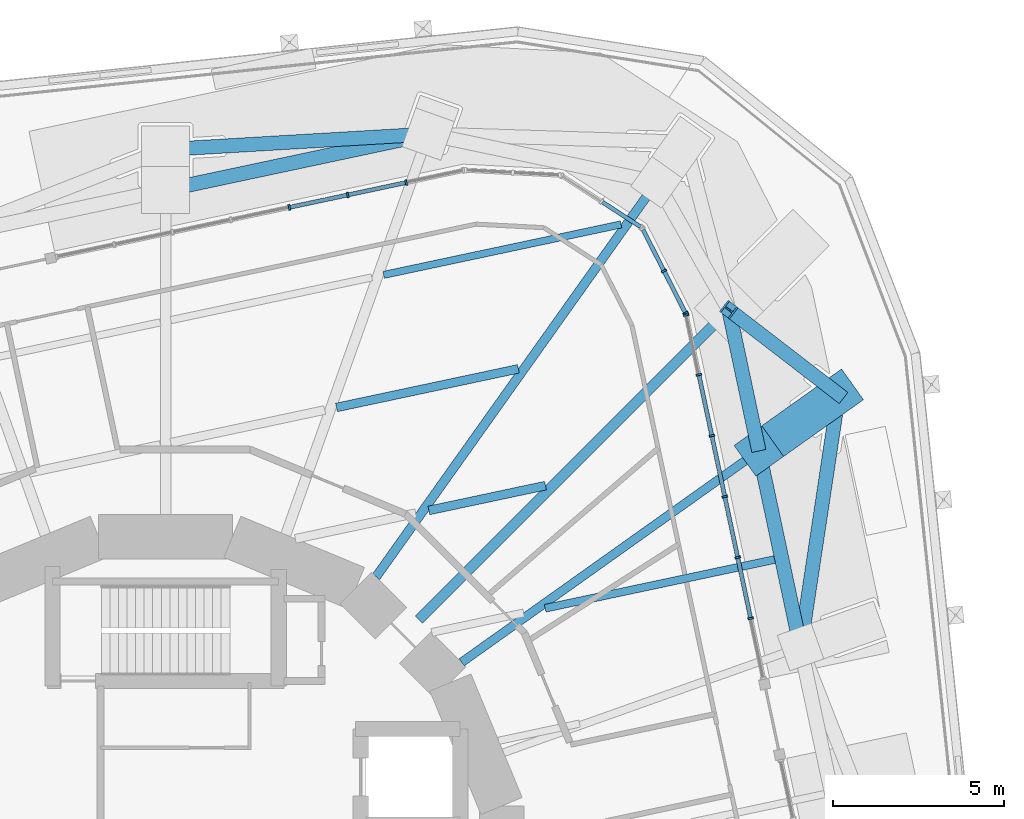
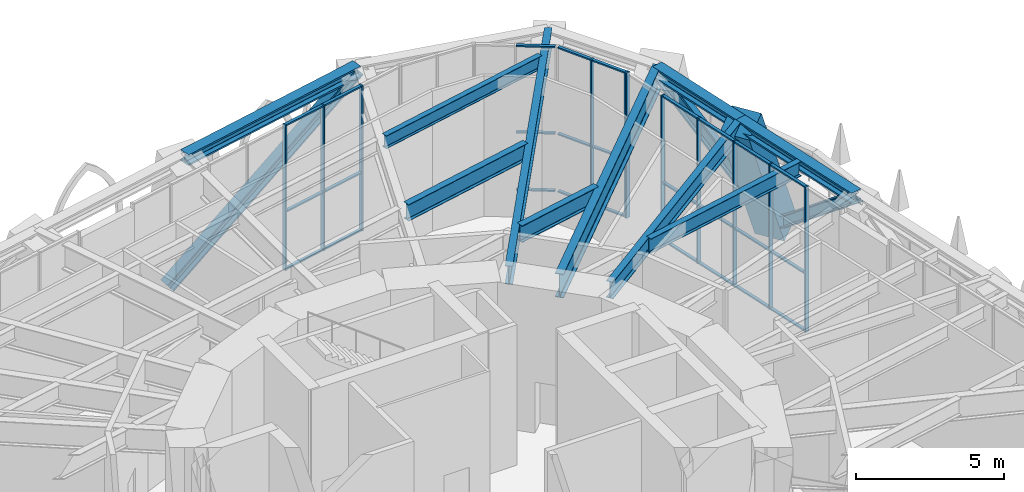
# One storey, part 10 of 23: 45 members, 7 beams, 4 elements without a shape of their own.
"""IFC4 building model written with IfcOpenShell, lengths in metres."""

from ifc_helpers import new_model, si_unit, direction, frame, origin, origin_2d, place, context, subcontext, project, spatial, rectangle, i_section, extrude, material, material_profile, profile_set, type_object, element, aggregate, save


model = new_model("IFC4")

# Units and contexts
model_context = context("Model", 3, precision=1e-05, world=origin(), true_north=direction((0.0, 1.0)))
body_context = subcontext(model_context, "Body", "Model", "MODEL_VIEW")
ifc_project = project(units=[si_unit("LENGTHUNIT", "METRE"), si_unit("AREAUNIT", "SQUARE_METRE"), si_unit("VOLUMEUNIT", "CUBIC_METRE"), si_unit("PLANEANGLEUNIT", "RADIAN"), si_unit("MASSUNIT", "GRAM", prefix="KILO")], contexts=[model_context])

# Site, building, storey
site_placement = place(None, origin())
site = spatial("IfcSite", under=ifc_project, at=site_placement, CompositionType="ELEMENT")
building_placement = place(site_placement, origin())
building = spatial("IfcBuilding", under=site, at=building_placement, Name="Nakasero Lantern House", CompositionType="ELEMENT")
storey_placement = place(building_placement, frame((0.0, 0.0, 95.14990234375)))
storey = spatial("IfcBuildingStorey", under=building, at=storey_placement, Name="L23", CompositionType="ELEMENT", Elevation=95.14990234375)

# Members
ifc_material_1 = material(Name="Steel S355", Category="steel")
ifc_material_profile_1 = material_profile(ifc_material_1, i_section(OverallWidth=0.41845703125, OverallDepth=0.45556640625, WebThickness=0.0419921875, FlangeThickness=0.0673828125, FilletRadius=0.01513671875, at=origin_2d()), Name="UC 356x406x551")
ifc_profile_set_1 = profile_set([ifc_material_profile_1], Name="Steel S355")
member_type_1 = type_object("IfcMemberType", Name="Belt truss chord UC 356x406x551", PredefinedType="CHORD", material=ifc_profile_set_1)
member_1_placement = place(storey_placement, frame((18.534912109375, 6.590087890625, 5.572265625), z_axis=(-0.207902159541, 0.978149626621, 0.0), x_axis=(-0.978149626621, -0.207902159541, 0.0)))
element("IfcMember", 1, at=member_1_placement, inside=storey, type_object=member_type_1, Name="Belt truss top chord T2 B3-C04T", PredefinedType="CHORD", context=body_context, shape_type="SweptSolid", body=[
    extrude(i_section(OverallWidth=0.41845703125, OverallDepth=0.45556640625, WebThickness=0.0419921875, FlangeThickness=0.0673828125, FilletRadius=0.01513671875, at=origin_2d()), origin(), (0.0, 0.0, 1.0), 5.852783203125),
])
member_2_placement = place(storey_placement, frame((17.318115234375, 12.31494140625, 5.572265625), z_axis=(-0.207955665195, 0.978138252658, 0.0), x_axis=(-0.978138252658, -0.207955665195, 0.0)))
element("IfcMember", 2, at=member_2_placement, inside=storey, type_object=member_type_1, Name="Belt truss top chord T2 B3-C05T", PredefinedType="CHORD", context=body_context, shape_type="SweptSolid", body=[
    extrude(i_section(OverallWidth=0.41845703125, OverallDepth=0.45556640625, WebThickness=0.0419921875, FlangeThickness=0.0673828125, FilletRadius=0.01513671875, at=origin_2d()), origin(), (0.0, 0.0, 1.0), 4.21826171875),
])
member_3_placement = place(storey_placement, frame((7.667724609375, 21.5654296875, 5.572265625), z_axis=(-0.978146105516, -0.207918725139, 0.0), x_axis=(0.207918725139, -0.978146105516, 0.0)))
element("IfcMember", 3, at=member_3_placement, inside=storey, type_object=member_type_1, Name="Belt truss top chord T2 B3-C08T", PredefinedType="CHORD", context=body_context, shape_type="SweptSolid", body=[
    extrude(i_section(OverallWidth=0.41845703125, OverallDepth=0.45556640625, WebThickness=0.0419921875, FlangeThickness=0.0673828125, FilletRadius=0.01513671875, at=origin_2d()), origin(), (0.0, 0.0, 1.0), 7.839111328125),
])
ifc_material_2 = material(Name="Steel S355", Category="steel")
ifc_material_profile_2 = material_profile(ifc_material_2, i_section(OverallWidth=0.412109375, OverallDepth=0.4365234375, WebThickness=0.035888671875, FlangeThickness=0.05810546875, FilletRadius=0.01513671875, at=origin_2d()), Name="UC 356x406x467")
ifc_profile_set_2 = profile_set([ifc_material_profile_2], Name="Steel S355")
member_type_2 = type_object("IfcMemberType", Name="Belt truss diagonal UC 356x406x467", PredefinedType="BRACE", material=ifc_profile_set_2)
member_4_placement = place(storey_placement, frame((18.534912109375, 6.590087890625, 5.572265625), z_axis=(0.116141694432, 0.770726073188, -0.626492160305), x_axis=(-0.988835849568, 0.149008934664, 0.0)))
element("IfcMember", 4, at=member_4_placement, inside=storey, type_object=member_type_2, Name="Belt truss diagonal T2-04", PredefinedType="BRACE", context=body_context, shape_type="SweptSolid", body=[
    extrude(i_section(OverallWidth=0.412109375, OverallDepth=0.4365234375, WebThickness=0.035888671875, FlangeThickness=0.05810546875, FilletRadius=0.01513671875, at=origin_2d()), origin(), (0.0, 0.0, 1.0), 9.5771484375),
])
member_5_placement = place(storey_placement, frame((19.647216796875, 13.971435546875, -0.427734375), z_axis=(-0.44302339087, 0.341215380998, 0.8290369949), x_axis=(-0.610191682168, -0.792253817292, 0.0)))
element("IfcMember", 5, at=member_5_placement, inside=storey, type_object=member_type_2, Name="Belt truss diagonal T2-05", PredefinedType="BRACE", context=body_context, shape_type="SweptSolid", body=[
    extrude(i_section(OverallWidth=0.412109375, OverallDepth=0.4365234375, WebThickness=0.035888671875, FlangeThickness=0.05810546875, FilletRadius=0.01513671875, at=origin_2d()), origin(), (0.0, 0.0, 1.0), 7.2373046875),
])
member_6_placement = place(storey_placement, frame((7.667724609375, 21.5654296875, 5.572265625), z_axis=(-0.78670752659, -0.046139881682, -0.615599203155), x_axis=(0.058548735749, -0.998284551389, 0.0)))
element("IfcMember", 6, at=member_6_placement, inside=storey, type_object=member_type_2, Name="Belt truss diagonal T2-08", PredefinedType="BRACE", context=body_context, shape_type="SweptSolid", body=[
    extrude(i_section(OverallWidth=0.412109375, OverallDepth=0.4365234375, WebThickness=0.035888671875, FlangeThickness=0.05810546875, FilletRadius=0.01513671875, at=origin_2d()), origin(), (0.0, 0.0, 1.0), 9.74658203125),
])

# Beams
ifc_material_3 = material(Name="Steel S355", Category="steel")
ifc_material_profile_3 = material_profile(ifc_material_3, i_section(OverallWidth=0.2099609375, OverallDepth=0.53662109375, WebThickness=0.0107421875, FlangeThickness=0.017333984375, FilletRadius=0.0126953125, at=origin_2d()), Name="UB 533x210x101")
ifc_profile_set_3 = profile_set([ifc_material_profile_3], Name="Steel S355")
beam_type_1 = type_object("IfcBeamType", Name="Infill beam UB 533x210x101", PredefinedType="JOIST", material=ifc_profile_set_3)
beam_1_placement = place(storey_placement, frame((6.365478515625, 17.454833984375, 5.53173828125), z_axis=(0.978149480204, 0.207902848411, 0.0), x_axis=(-0.207902848411, 0.978149480204, 0.0)))
element("IfcBeam", 7, at=beam_1_placement, inside=storey, type_object=beam_type_1, Name="Infill beam L24 12.7", PredefinedType="JOIST", context=body_context, shape_type="SweptSolid", body=[
    extrude(i_section(OverallWidth=0.2099609375, OverallDepth=0.53662109375, WebThickness=0.0107421875, FlangeThickness=0.017333984375, FilletRadius=0.0126953125, at=origin_2d()), origin(), (0.0, 0.0, 1.0), 7.085693359375),
])
ifc_material_4 = material(Name="Steel S355", Category="steel")
ifc_material_profile_4 = material_profile(ifc_material_4, i_section(OverallWidth=0.2275390625, OverallDepth=0.6025390625, WebThickness=0.010498046875, FlangeThickness=0.014892578125, FilletRadius=0.0126953125, at=origin_2d()), Name="UB 610x229x101")
ifc_profile_set_4 = profile_set([ifc_material_profile_4], Name="Steel S355")
beam_type_2 = type_object("IfcBeamType", Name="Infill beam UB 610x229x101", PredefinedType="JOIST", material=ifc_profile_set_4)
beam_2_placement = place(storey_placement, frame((11.08056640625, 7.722412109375, 5.498779296875), z_axis=(0.978144983075, 0.207924005553, 0.0), x_axis=(-0.207924005553, 0.978144983075, 0.0)))
element("IfcBeam", 8, at=beam_2_placement, inside=storey, type_object=beam_type_2, Name="Infill beam L24 09.3", PredefinedType="JOIST", context=body_context, shape_type="SweptSolid", body=[
    extrude(i_section(OverallWidth=0.2275390625, OverallDepth=0.6025390625, WebThickness=0.010498046875, FlangeThickness=0.014892578125, FilletRadius=0.0126953125, at=origin_2d()), origin(), (0.0, 0.0, 1.0), 6.8466796875),
])
ifc_material_5 = material(Name="Steel S355", Category="steel")
ifc_material_profile_5 = material_profile(ifc_material_5, i_section(OverallWidth=0.253662109375, OverallDepth=0.68359375, WebThickness=0.012451171875, FlangeThickness=0.01904296875, FilletRadius=0.01513671875, at=origin_2d()), Name="UB 686x254x140")
ifc_profile_set_5 = profile_set([ifc_material_profile_5], Name="Steel S355")
beam_type_3 = type_object("IfcBeamType", Name="Infill beam UB 686x254x140", PredefinedType="JOIST", material=ifc_profile_set_5)
beam_3_placement = place(storey_placement, frame((4.989013671875, 13.584228515625, 5.458251953125), z_axis=(0.978155764637, 0.207873278962, 0.0), x_axis=(-0.207873278962, 0.978155764637, 0.0)))
element("IfcBeam", 9, at=beam_3_placement, inside=storey, type_object=beam_type_3, Name="Infill beam L24 11.6", PredefinedType="JOIST", context=body_context, shape_type="SweptSolid", body=[
    extrude(i_section(OverallWidth=0.253662109375, OverallDepth=0.68359375, WebThickness=0.012451171875, FlangeThickness=0.01904296875, FilletRadius=0.01513671875, at=origin_2d()), origin(), (0.0, 0.0, 1.0), 5.428466796875),
])
ifc_material_6 = material(Name="Steel S355", Category="steel")
ifc_material_profile_6 = material_profile(ifc_material_6, i_section(OverallWidth=0.255859375, OverallDepth=0.69287109375, WebThickness=0.014404296875, FlangeThickness=0.023681640625, FilletRadius=0.01513671875, at=origin_2d()), Name="UB 686x254x170")
ifc_profile_set_6 = profile_set([ifc_material_profile_6], Name="Steel S355")
beam_type_4 = type_object("IfcBeamType", Name="Infill beam UB 686x254x170", PredefinedType="JOIST", material=ifc_profile_set_6)
beam_4_placement = place(storey_placement, frame((7.686767578125, 10.579345703125, 5.45361328125), z_axis=(0.978142980007, 0.20793342844, 0.0), x_axis=(-0.20793342844, 0.978142980007, 0.0)))
element("IfcBeam", 10, at=beam_4_placement, inside=storey, type_object=beam_type_4, Name="Infill beam L24 10.5", PredefinedType="JOIST", context=body_context, shape_type="SweptSolid", body=[
    extrude(i_section(OverallWidth=0.255859375, OverallDepth=0.69287109375, WebThickness=0.014404296875, FlangeThickness=0.023681640625, FilletRadius=0.01513671875, at=origin_2d()), origin(), (0.0, 0.0, 1.0), 3.480224609375),
])

# Curtain wall, members
ifc_material_7 = material(Name="Aluminium 6063-T6 and glass", Category="aluminium")
curtain_wall_type = type_object("IfcCurtainWallType", Name="Sky lounge glazing CW-3", PredefinedType="USERDEFINED", material=ifc_material_7)
curtain_wall_1_placement = place(storey_placement, origin())
curtain_wall_1 = element("IfcCurtainWall", 11, at=curtain_wall_1_placement, inside=storey, type_object=curtain_wall_type, Name="Curtain wall CW-3 L23", ObjectType="STICK CURTAIN WALL", PredefinedType="USERDEFINED")
ifc_material_8 = material(Name="Aluminium 6063-T6", Category="aluminium")
ifc_material_profile_7 = material_profile(ifc_material_8, rectangle(XDim=0.06005859375, YDim=0.159912109375, at=origin_2d()), Name="CW-3 mullion 60x160")
ifc_profile_set_7 = profile_set([ifc_material_profile_7], Name="Aluminium 6063-T6")
member_type_3 = type_object("IfcMemberType", Name="Mullion CW-3", PredefinedType="MULLION", material=ifc_profile_set_7)
member_7_placement = place(storey_placement, frame((17.078369140625, 7.429931640625, 0.0), z_axis=(0.0, 0.0, 1.0), x_axis=(-0.207911690818, 0.978147600734, 0.0)))
member_7 = element("IfcMember", 12, at=member_7_placement, type_object=member_type_3, Name="CW-3 mullion 2", PredefinedType="MULLION", context=body_context, shape_type="SweptSolid", body=[
    extrude(rectangle(XDim=0.06005859375, YDim=0.159912109375, at=origin_2d()), origin(), (0.0, 0.0, 1.0), 6.0),
])
member_8_placement = place(storey_placement, frame((16.70068359375, 9.206787109375, 0.0), z_axis=(0.0, 0.0, 1.0), x_axis=(-0.207911690818, 0.978147600734, 0.0)))
member_8 = element("IfcMember", 13, at=member_8_placement, type_object=member_type_3, Name="CW-3 mullion 3", PredefinedType="MULLION", context=body_context, shape_type="SweptSolid", body=[
    extrude(rectangle(XDim=0.06005859375, YDim=0.159912109375, at=origin_2d()), origin(), (0.0, 0.0, 1.0), 6.0),
])
member_9_placement = place(storey_placement, frame((16.322998046875, 10.98388671875, 0.0), z_axis=(0.0, 0.0, 1.0), x_axis=(-0.207911690818, 0.978147600734, 0.0)))
member_9 = element("IfcMember", 14, at=member_9_placement, type_object=member_type_3, Name="CW-3 mullion 4", PredefinedType="MULLION", context=body_context, shape_type="SweptSolid", body=[
    extrude(rectangle(XDim=0.06005859375, YDim=0.159912109375, at=origin_2d()), origin(), (0.0, 0.0, 1.0), 6.0),
])
member_10_placement = place(storey_placement, frame((15.9453125, 12.7607421875, 0.0), z_axis=(0.0, 0.0, 1.0), x_axis=(-0.207911690818, 0.978147600734, 0.0)))
member_10 = element("IfcMember", 15, at=member_10_placement, type_object=member_type_3, Name="CW-3 mullion 5", PredefinedType="MULLION", context=body_context, shape_type="SweptSolid", body=[
    extrude(rectangle(XDim=0.06005859375, YDim=0.159912109375, at=origin_2d()), origin(), (0.0, 0.0, 1.0), 6.0),
])
member_11_placement = place(storey_placement, frame((15.567626953125, 14.53759765625, 0.0), z_axis=(0.0, 0.0, 1.0), x_axis=(-0.207911690818, 0.978147600734, 0.0)))
member_11 = element("IfcMember", 16, at=member_11_placement, type_object=member_type_3, Name="CW-3 mullion 6", PredefinedType="MULLION", context=body_context, shape_type="SweptSolid", body=[
    extrude(rectangle(XDim=0.06005859375, YDim=0.159912109375, at=origin_2d()), origin(), (0.0, 0.0, 1.0), 6.0),
])
member_12_placement = place(storey_placement, frame((15.196044921875, 16.285400390625, 0.0), z_axis=(0.0, 0.0, 1.0), x_axis=(-0.207911690818, 0.978147600734, 0.0)))
member_12 = element("IfcMember", 17, at=member_12_placement, type_object=member_type_3, Name="CW-3 mullion 7", PredefinedType="MULLION", context=body_context, shape_type="SweptSolid", body=[
    extrude(rectangle(XDim=0.06005859375, YDim=0.159912109375, at=origin_2d()), origin(), (0.0, 0.0, 1.0), 6.0),
])

curtain_wall_2_placement = place(storey_placement, origin())
curtain_wall_2 = element("IfcCurtainWall", 18, at=curtain_wall_2_placement, inside=storey, type_object=curtain_wall_type, Name="Curtain wall CW-3 L23", ObjectType="STICK CURTAIN WALL", PredefinedType="USERDEFINED")
member_13_placement = place(storey_placement, frame((15.17626953125, 16.34130859375, 0.0), z_axis=(0.0, 0.0, 1.0), x_axis=(-0.45399049974, 0.891006524188, 0.0)))
member_13 = element("IfcMember", 19, at=member_13_placement, type_object=member_type_3, Name="CW-3 mullion 1", PredefinedType="MULLION", context=body_context, shape_type="SweptSolid", body=[
    extrude(rectangle(XDim=0.06005859375, YDim=0.159912109375, at=origin_2d()), origin(), (0.0, 0.0, 1.0), 6.0),
])
member_14_placement = place(storey_placement, frame((14.549560546875, 17.571533203125, 0.0), z_axis=(0.0, 0.0, 1.0), x_axis=(-0.45399049974, 0.891006524188, 0.0)))
member_14 = element("IfcMember", 20, at=member_14_placement, type_object=member_type_3, Name="CW-3 mullion 2", PredefinedType="MULLION", context=body_context, shape_type="SweptSolid", body=[
    extrude(rectangle(XDim=0.06005859375, YDim=0.159912109375, at=origin_2d()), origin(), (0.0, 0.0, 1.0), 6.0),
])

curtain_wall_3_placement = place(storey_placement, origin())
curtain_wall_3 = element("IfcCurtainWall", 21, at=curtain_wall_3_placement, inside=storey, type_object=curtain_wall_type, Name="Curtain wall CW-3 L23", ObjectType="STICK CURTAIN WALL", PredefinedType="USERDEFINED")
member_15_placement = place(storey_placement, frame((7.021240234375, 20.150146484375, 0.0), z_axis=(0.0, 0.0, 1.0), x_axis=(-0.978147600734, -0.207911690818, 0.0)))
member_15 = element("IfcMember", 22, at=member_15_placement, type_object=member_type_3, Name="CW-3 mullion 2", PredefinedType="MULLION", context=body_context, shape_type="SweptSolid", body=[
    extrude(rectangle(XDim=0.06005859375, YDim=0.159912109375, at=origin_2d()), origin(), (0.0, 0.0, 1.0), 6.0),
])
member_16_placement = place(storey_placement, frame((5.31640625, 19.787841796875, 0.0), z_axis=(0.0, 0.0, 1.0), x_axis=(-0.978147600734, -0.207911690818, 0.0)))
member_16 = element("IfcMember", 23, at=member_16_placement, type_object=member_type_3, Name="CW-3 mullion 3", PredefinedType="MULLION", context=body_context, shape_type="SweptSolid", body=[
    extrude(rectangle(XDim=0.06005859375, YDim=0.159912109375, at=origin_2d()), origin(), (0.0, 0.0, 1.0), 6.0),
])
member_17_placement = place(storey_placement, frame((3.611572265625, 19.42529296875, 0.0), z_axis=(0.0, 0.0, 1.0), x_axis=(-0.978147600734, -0.207911690818, 0.0)))
member_17 = element("IfcMember", 24, at=member_17_placement, type_object=member_type_3, Name="CW-3 mullion 4", PredefinedType="MULLION", context=body_context, shape_type="SweptSolid", body=[
    extrude(rectangle(XDim=0.06005859375, YDim=0.159912109375, at=origin_2d()), origin(), (0.0, 0.0, 1.0), 6.0),
])

# Beams
ifc_material_9 = material(Name="Steel S355", Category="steel")
ifc_material_profile_8 = material_profile(ifc_material_9, i_section(OverallWidth=0.300048828125, OverallDepth=0.989990234375, WebThickness=0.0166015625, FlangeThickness=0.031005859375, FilletRadius=0.030029296875, at=origin_2d()), Name="UB 1016x305x272")
ifc_profile_set_8 = profile_set([ifc_material_profile_8], Name="Steel S355")
beam_type_5 = type_object("IfcBeamType", Name="Primary beam UB 1016x305x272, span 12 to 15 m", PredefinedType="BEAM", material=ifc_profile_set_8)
beam_5_placement = place(storey_placement, frame((16.44091796875, 16.44091796875, 5.304931640625), z_axis=(-0.707106781187, -0.707106781187, 0.0), x_axis=(0.707106781187, -0.707106781187, 0.0)))
element("IfcBeam", 25, at=beam_5_placement, inside=storey, type_object=beam_type_5, Name="Primary beam L24 B3-C06T", PredefinedType="BEAM", context=body_context, shape_type="SweptSolid", body=[
    extrude(i_section(OverallWidth=0.300048828125, OverallDepth=0.989990234375, WebThickness=0.0166015625, FlangeThickness=0.031005859375, FilletRadius=0.030029296875, at=origin_2d()), origin(), (0.0, 0.0, 1.0), 12.793212890625),
])
ifc_material_10 = material(Name="Steel S355", Category="steel")
ifc_material_profile_9 = material_profile(ifc_material_10, i_section(OverallWidth=0.255859375, OverallDepth=0.69287109375, WebThickness=0.014404296875, FlangeThickness=0.023681640625, FilletRadius=0.01513671875, at=origin_2d()), Name="UB 686x254x170")
ifc_profile_set_9 = profile_set([ifc_material_profile_9], Name="Steel S355")
beam_type_6 = type_object("IfcBeamType", Name="Primary beam UB 686x254x170, span 9 to 12 m", PredefinedType="BEAM", material=ifc_profile_set_9)
beam_6_placement = place(storey_placement, frame((17.318115234375, 12.31494140625, 5.45361328125), z_axis=(-0.814957491022, -0.579520739774, 0.0), x_axis=(0.579520739774, -0.814957491022, 0.0)))
element("IfcBeam", 26, at=beam_6_placement, inside=storey, type_object=beam_type_6, Name="Primary beam L24 B3-C05T", PredefinedType="BEAM", context=body_context, shape_type="SweptSolid", body=[
    extrude(i_section(OverallWidth=0.255859375, OverallDepth=0.69287109375, WebThickness=0.014404296875, FlangeThickness=0.023681640625, FilletRadius=0.01513671875, at=origin_2d()), origin(), (0.0, 0.0, 1.0), 10.64453125),
])
ifc_material_11 = material(Name="Steel S355", Category="steel")
ifc_material_profile_10 = material_profile(ifc_material_11, i_section(OverallWidth=0.2666015625, OverallDepth=0.76220703125, WebThickness=0.014404296875, FlangeThickness=0.021484375, FilletRadius=0.0166015625, at=origin_2d()), Name="UB 762x267x173")
ifc_profile_set_10 = profile_set([ifc_material_profile_10], Name="Steel S355")
beam_type_7 = type_object("IfcBeamType", Name="Primary beam UB 762x267x173, span 12 to 15 m", PredefinedType="BEAM", material=ifc_profile_set_10)
beam_7_placement = place(storey_placement, frame((14.33349609375, 20.15625, 5.4189453125), z_axis=(-0.57953679421, -0.814946074386, 0.0), x_axis=(0.814946074386, -0.57953679421, 0.0)))
element("IfcBeam", 27, at=beam_7_placement, inside=storey, type_object=beam_type_7, Name="Primary beam L24 B3-C07T", PredefinedType="BEAM", context=body_context, shape_type="SweptSolid", body=[
    extrude(i_section(OverallWidth=0.2666015625, OverallDepth=0.76220703125, WebThickness=0.014404296875, FlangeThickness=0.021484375, FilletRadius=0.0166015625, at=origin_2d()), origin(), (0.0, 0.0, 1.0), 14.127197265625),
])

# Member
ifc_material_12 = material(Name="Concrete C50/60", Category="concrete")
ifc_material_profile_11 = material_profile(ifc_material_12, rectangle(XDim=1.10009765625, YDim=1.10009765625, at=origin_2d()), Name="RC 1100x1100")
ifc_profile_set_11 = profile_set([ifc_material_profile_11], Name="Concrete C50/60")
member_type_4 = type_object("IfcMemberType", Name="Raking column RC 1100x1100 C50/60", PredefinedType="STRUT", material=ifc_profile_set_11)
member_18_placement = place(storey_placement, frame((19.647216796875, 13.971435546875, -0.427734375), z_axis=(-0.350454130091, -0.249248561076, 0.902805104939), x_axis=(0.579580517405, -0.814914979519, 0.0)))
element("IfcMember", 28, at=member_18_placement, inside=storey, type_object=member_type_4, Name="Raking column B3-C05T L23", PredefinedType="STRUT", context=body_context, shape_type="SweptSolid", body=[
    extrude(rectangle(XDim=1.10009765625, YDim=1.10009765625, at=origin_2d()), origin(), (0.0, 0.0, 1.0), 6.64599609375),
])

ifc_material_13 = material(Name="Aluminium 6063-T6", Category="aluminium")
ifc_material_profile_12 = material_profile(ifc_material_13, rectangle(XDim=0.06005859375, YDim=0.1201171875, at=origin_2d()), Name="CW-3 transom 60x120")
ifc_profile_set_12 = profile_set([ifc_material_profile_12], Name="Aluminium 6063-T6")
member_type_5 = type_object("IfcMemberType", Name="Transom CW-3", PredefinedType="USERDEFINED", material=ifc_profile_set_12)
member_19_placement = place(storey_placement, frame((17.072265625, 7.459228515625, 0.030029296875), z_axis=(-0.207915270313, 0.978146839882, 0.0), x_axis=(0.0, 0.0, 1.0)))
member_19 = element("IfcMember", 29, at=member_19_placement, type_object=member_type_5, Name="CW-3 transom 2.1", ObjectType="TRANSOM", PredefinedType="USERDEFINED", context=body_context, shape_type="SweptSolid", body=[
    extrude(rectangle(XDim=0.06005859375, YDim=0.1201171875, at=origin_2d()), origin(), (0.0, 0.0, 1.0), 1.756591796875),
])

member_20_placement = place(storey_placement, frame((17.072265625, 7.459228515625, 2.400146484375), z_axis=(-0.207915270313, 0.978146839882, 0.0), x_axis=(0.0, 0.0, 1.0)))
member_20 = element("IfcMember", 30, at=member_20_placement, type_object=member_type_5, Name="CW-3 transom 2.2", ObjectType="TRANSOM", PredefinedType="USERDEFINED", context=body_context, shape_type="SweptSolid", body=[
    extrude(rectangle(XDim=0.06005859375, YDim=0.1201171875, at=origin_2d()), origin(), (0.0, 0.0, 1.0), 1.756591796875),
])

member_21_placement = place(storey_placement, frame((17.072265625, 7.459228515625, 5.97021484375), z_axis=(-0.207915270313, 0.978146839882, 0.0), x_axis=(0.0, 0.0, 1.0)))
member_21 = element("IfcMember", 31, at=member_21_placement, type_object=member_type_5, Name="CW-3 transom 2.3", ObjectType="TRANSOM", PredefinedType="USERDEFINED", context=body_context, shape_type="SweptSolid", body=[
    extrude(rectangle(XDim=0.06005859375, YDim=0.1201171875, at=origin_2d()), origin(), (0.0, 0.0, 1.0), 1.756591796875),
])

member_22_placement = place(storey_placement, frame((16.694580078125, 9.236083984375, 0.030029296875), z_axis=(-0.207915270313, 0.978146839882, 0.0), x_axis=(0.0, 0.0, 1.0)))
member_22 = element("IfcMember", 32, at=member_22_placement, type_object=member_type_5, Name="CW-3 transom 3.1", ObjectType="TRANSOM", PredefinedType="USERDEFINED", context=body_context, shape_type="SweptSolid", body=[
    extrude(rectangle(XDim=0.06005859375, YDim=0.1201171875, at=origin_2d()), origin(), (0.0, 0.0, 1.0), 1.756591796875),
])

member_23_placement = place(storey_placement, frame((16.694580078125, 9.236083984375, 2.400146484375), z_axis=(-0.207915270313, 0.978146839882, 0.0), x_axis=(0.0, 0.0, 1.0)))
member_23 = element("IfcMember", 33, at=member_23_placement, type_object=member_type_5, Name="CW-3 transom 3.2", ObjectType="TRANSOM", PredefinedType="USERDEFINED", context=body_context, shape_type="SweptSolid", body=[
    extrude(rectangle(XDim=0.06005859375, YDim=0.1201171875, at=origin_2d()), origin(), (0.0, 0.0, 1.0), 1.756591796875),
])

member_24_placement = place(storey_placement, frame((16.694580078125, 9.236083984375, 5.97021484375), z_axis=(-0.207915270313, 0.978146839882, 0.0), x_axis=(0.0, 0.0, 1.0)))
member_24 = element("IfcMember", 34, at=member_24_placement, type_object=member_type_5, Name="CW-3 transom 3.3", ObjectType="TRANSOM", PredefinedType="USERDEFINED", context=body_context, shape_type="SweptSolid", body=[
    extrude(rectangle(XDim=0.06005859375, YDim=0.1201171875, at=origin_2d()), origin(), (0.0, 0.0, 1.0), 1.756591796875),
])

member_25_placement = place(storey_placement, frame((16.31689453125, 11.01318359375, 0.030029296875), z_axis=(-0.207915270313, 0.978146839882, 0.0), x_axis=(0.0, 0.0, 1.0)))
member_25 = element("IfcMember", 35, at=member_25_placement, type_object=member_type_5, Name="CW-3 transom 4.1", ObjectType="TRANSOM", PredefinedType="USERDEFINED", context=body_context, shape_type="SweptSolid", body=[
    extrude(rectangle(XDim=0.06005859375, YDim=0.1201171875, at=origin_2d()), origin(), (0.0, 0.0, 1.0), 1.756591796875),
])

member_26_placement = place(storey_placement, frame((16.31689453125, 11.01318359375, 2.400146484375), z_axis=(-0.207915270313, 0.978146839882, 0.0), x_axis=(0.0, 0.0, 1.0)))
member_26 = element("IfcMember", 36, at=member_26_placement, type_object=member_type_5, Name="CW-3 transom 4.2", ObjectType="TRANSOM", PredefinedType="USERDEFINED", context=body_context, shape_type="SweptSolid", body=[
    extrude(rectangle(XDim=0.06005859375, YDim=0.1201171875, at=origin_2d()), origin(), (0.0, 0.0, 1.0), 1.756591796875),
])

member_27_placement = place(storey_placement, frame((16.31689453125, 11.01318359375, 5.97021484375), z_axis=(-0.207915270313, 0.978146839882, 0.0), x_axis=(0.0, 0.0, 1.0)))
member_27 = element("IfcMember", 37, at=member_27_placement, type_object=member_type_5, Name="CW-3 transom 4.3", ObjectType="TRANSOM", PredefinedType="USERDEFINED", context=body_context, shape_type="SweptSolid", body=[
    extrude(rectangle(XDim=0.06005859375, YDim=0.1201171875, at=origin_2d()), origin(), (0.0, 0.0, 1.0), 1.756591796875),
])

member_28_placement = place(storey_placement, frame((15.939208984375, 12.7900390625, 0.030029296875), z_axis=(-0.207915270313, 0.978146839882, 0.0), x_axis=(0.0, 0.0, 1.0)))
member_28 = element("IfcMember", 38, at=member_28_placement, type_object=member_type_5, Name="CW-3 transom 5.1", ObjectType="TRANSOM", PredefinedType="USERDEFINED", context=body_context, shape_type="SweptSolid", body=[
    extrude(rectangle(XDim=0.06005859375, YDim=0.1201171875, at=origin_2d()), origin(), (0.0, 0.0, 1.0), 1.756591796875),
])

member_29_placement = place(storey_placement, frame((15.939208984375, 12.7900390625, 2.400146484375), z_axis=(-0.207915270313, 0.978146839882, 0.0), x_axis=(0.0, 0.0, 1.0)))
member_29 = element("IfcMember", 39, at=member_29_placement, type_object=member_type_5, Name="CW-3 transom 5.2", ObjectType="TRANSOM", PredefinedType="USERDEFINED", context=body_context, shape_type="SweptSolid", body=[
    extrude(rectangle(XDim=0.06005859375, YDim=0.1201171875, at=origin_2d()), origin(), (0.0, 0.0, 1.0), 1.756591796875),
])

member_30_placement = place(storey_placement, frame((15.939208984375, 12.7900390625, 5.97021484375), z_axis=(-0.207915270313, 0.978146839882, 0.0), x_axis=(0.0, 0.0, 1.0)))
member_30 = element("IfcMember", 40, at=member_30_placement, type_object=member_type_5, Name="CW-3 transom 5.3", ObjectType="TRANSOM", PredefinedType="USERDEFINED", context=body_context, shape_type="SweptSolid", body=[
    extrude(rectangle(XDim=0.06005859375, YDim=0.1201171875, at=origin_2d()), origin(), (0.0, 0.0, 1.0), 1.756591796875),
])

aggregate(curtain_wall_1, [member_7, member_8, member_9, member_10, member_11, member_12, member_19, member_20, member_21, member_22, member_23, member_24, member_25, member_26, member_27, member_28, member_29, member_30])

member_31_placement = place(storey_placement, frame((15.16259765625, 16.3681640625, 0.030029296875), z_axis=(-0.453931321116, 0.891036674728, 0.0), x_axis=(0.0, 0.0, 1.0)))
member_31 = element("IfcMember", 41, at=member_31_placement, type_object=member_type_5, Name="CW-3 transom 1.1", ObjectType="TRANSOM", PredefinedType="USERDEFINED", context=body_context, shape_type="SweptSolid", body=[
    extrude(rectangle(XDim=0.06005859375, YDim=0.1201171875, at=origin_2d()), origin(), (0.0, 0.0, 1.0), 1.3203125),
])

member_32_placement = place(storey_placement, frame((15.16259765625, 16.3681640625, 2.400146484375), z_axis=(-0.453931321116, 0.891036674728, 0.0), x_axis=(0.0, 0.0, 1.0)))
member_32 = element("IfcMember", 42, at=member_32_placement, type_object=member_type_5, Name="CW-3 transom 1.2", ObjectType="TRANSOM", PredefinedType="USERDEFINED", context=body_context, shape_type="SweptSolid", body=[
    extrude(rectangle(XDim=0.06005859375, YDim=0.1201171875, at=origin_2d()), origin(), (0.0, 0.0, 1.0), 1.3203125),
])

member_33_placement = place(storey_placement, frame((15.16259765625, 16.3681640625, 5.97021484375), z_axis=(-0.453931321116, 0.891036674728, 0.0), x_axis=(0.0, 0.0, 1.0)))
member_33 = element("IfcMember", 43, at=member_33_placement, type_object=member_type_5, Name="CW-3 transom 1.3", ObjectType="TRANSOM", PredefinedType="USERDEFINED", context=body_context, shape_type="SweptSolid", body=[
    extrude(rectangle(XDim=0.06005859375, YDim=0.1201171875, at=origin_2d()), origin(), (0.0, 0.0, 1.0), 1.3203125),
])

member_34_placement = place(storey_placement, frame((14.535888671875, 17.59814453125, 0.030029296875), z_axis=(-0.454003316297, 0.89099999371, 0.0), x_axis=(0.0, 0.0, 1.0)))
member_34 = element("IfcMember", 44, at=member_34_placement, type_object=member_type_5, Name="CW-3 transom 2.1", ObjectType="TRANSOM", PredefinedType="USERDEFINED", context=body_context, shape_type="SweptSolid", body=[
    extrude(rectangle(XDim=0.06005859375, YDim=0.1201171875, at=origin_2d()), origin(), (0.0, 0.0, 1.0), 1.32080078125),
])

member_35_placement = place(storey_placement, frame((14.535888671875, 17.59814453125, 2.400146484375), z_axis=(-0.454003316297, 0.89099999371, 0.0), x_axis=(0.0, 0.0, 1.0)))
member_35 = element("IfcMember", 45, at=member_35_placement, type_object=member_type_5, Name="CW-3 transom 2.2", ObjectType="TRANSOM", PredefinedType="USERDEFINED", context=body_context, shape_type="SweptSolid", body=[
    extrude(rectangle(XDim=0.06005859375, YDim=0.1201171875, at=origin_2d()), origin(), (0.0, 0.0, 1.0), 1.32080078125),
])

member_36_placement = place(storey_placement, frame((14.535888671875, 17.59814453125, 5.97021484375), z_axis=(-0.454003316297, 0.89099999371, 0.0), x_axis=(0.0, 0.0, 1.0)))
member_36 = element("IfcMember", 46, at=member_36_placement, type_object=member_type_5, Name="CW-3 transom 2.3", ObjectType="TRANSOM", PredefinedType="USERDEFINED", context=body_context, shape_type="SweptSolid", body=[
    extrude(rectangle(XDim=0.06005859375, YDim=0.1201171875, at=origin_2d()), origin(), (0.0, 0.0, 1.0), 1.32080078125),
])

aggregate(curtain_wall_2, [member_13, member_14, member_31, member_32, member_33, member_34, member_35, member_36])

# Curtain wall, members
curtain_wall_4_placement = place(storey_placement, origin())
curtain_wall_4 = element("IfcCurtainWall", 47, at=curtain_wall_4_placement, inside=storey, type_object=curtain_wall_type, Name="Curtain wall CW-3 L23", ObjectType="STICK CURTAIN WALL", PredefinedType="USERDEFINED")
member_37_placement = place(storey_placement, frame((13.85888671875, 18.861083984375, 0.030029296875), z_axis=(-0.838701154365, 0.544591933163, 0.0), x_axis=(0.0, 0.0, 1.0)))
member_37 = element("IfcMember", 48, at=member_37_placement, type_object=member_type_5, Name="CW-3 transom 1.1", ObjectType="TRANSOM", PredefinedType="USERDEFINED", context=body_context, shape_type="SweptSolid", body=[
    extrude(rectangle(XDim=0.06005859375, YDim=0.1201171875, at=origin_2d()), origin(), (0.0, 0.0, 1.0), 1.32080078125),
])
member_38_placement = place(storey_placement, frame((13.85888671875, 18.861083984375, 2.400146484375), z_axis=(-0.838701154365, 0.544591933163, 0.0), x_axis=(0.0, 0.0, 1.0)))
member_38 = element("IfcMember", 49, at=member_38_placement, type_object=member_type_5, Name="CW-3 transom 1.2", ObjectType="TRANSOM", PredefinedType="USERDEFINED", context=body_context, shape_type="SweptSolid", body=[
    extrude(rectangle(XDim=0.06005859375, YDim=0.1201171875, at=origin_2d()), origin(), (0.0, 0.0, 1.0), 1.32080078125),
])
member_39_placement = place(storey_placement, frame((13.85888671875, 18.861083984375, 5.97021484375), z_axis=(-0.838701154365, 0.544591933163, 0.0), x_axis=(0.0, 0.0, 1.0)))
member_39 = element("IfcMember", 50, at=member_39_placement, type_object=member_type_5, Name="CW-3 transom 1.3", ObjectType="TRANSOM", PredefinedType="USERDEFINED", context=body_context, shape_type="SweptSolid", body=[
    extrude(rectangle(XDim=0.06005859375, YDim=0.1201171875, at=origin_2d()), origin(), (0.0, 0.0, 1.0), 1.32080078125),
])
aggregate(curtain_wall_4, [member_37, member_38, member_39])

# Member
member_40_placement = place(storey_placement, frame((6.99169921875, 20.143798828125, 0.030029296875), z_axis=(-0.978149262994, -0.207903870346, 0.0), x_axis=(0.0, 0.0, 1.0)))
member_40 = element("IfcMember", 51, at=member_40_placement, type_object=member_type_5, Name="CW-3 transom 2.1", ObjectType="TRANSOM", PredefinedType="USERDEFINED", context=body_context, shape_type="SweptSolid", body=[
    extrude(rectangle(XDim=0.06005859375, YDim=0.1201171875, at=origin_2d()), origin(), (0.0, 0.0, 1.0), 1.682861328125),
])

member_41_placement = place(storey_placement, frame((6.99169921875, 20.143798828125, 2.400146484375), z_axis=(-0.978149262994, -0.207903870346, 0.0), x_axis=(0.0, 0.0, 1.0)))
member_41 = element("IfcMember", 52, at=member_41_placement, type_object=member_type_5, Name="CW-3 transom 2.2", ObjectType="TRANSOM", PredefinedType="USERDEFINED", context=body_context, shape_type="SweptSolid", body=[
    extrude(rectangle(XDim=0.06005859375, YDim=0.1201171875, at=origin_2d()), origin(), (0.0, 0.0, 1.0), 1.682861328125),
])

member_42_placement = place(storey_placement, frame((6.99169921875, 20.143798828125, 5.97021484375), z_axis=(-0.978149262994, -0.207903870346, 0.0), x_axis=(0.0, 0.0, 1.0)))
member_42 = element("IfcMember", 53, at=member_42_placement, type_object=member_type_5, Name="CW-3 transom 2.3", ObjectType="TRANSOM", PredefinedType="USERDEFINED", context=body_context, shape_type="SweptSolid", body=[
    extrude(rectangle(XDim=0.06005859375, YDim=0.1201171875, at=origin_2d()), origin(), (0.0, 0.0, 1.0), 1.682861328125),
])

member_43_placement = place(storey_placement, frame((5.287109375, 19.781494140625, 0.030029296875), z_axis=(-0.978155532727, -0.207874370221, 0.0), x_axis=(0.0, 0.0, 1.0)))
member_43 = element("IfcMember", 54, at=member_43_placement, type_object=member_type_5, Name="CW-3 transom 3.1", ObjectType="TRANSOM", PredefinedType="USERDEFINED", context=body_context, shape_type="SweptSolid", body=[
    extrude(rectangle(XDim=0.06005859375, YDim=0.1201171875, at=origin_2d()), origin(), (0.0, 0.0, 1.0), 1.68310546875),
])

member_44_placement = place(storey_placement, frame((5.287109375, 19.781494140625, 2.400146484375), z_axis=(-0.978155532727, -0.207874370221, 0.0), x_axis=(0.0, 0.0, 1.0)))
member_44 = element("IfcMember", 55, at=member_44_placement, type_object=member_type_5, Name="CW-3 transom 3.2", ObjectType="TRANSOM", PredefinedType="USERDEFINED", context=body_context, shape_type="SweptSolid", body=[
    extrude(rectangle(XDim=0.06005859375, YDim=0.1201171875, at=origin_2d()), origin(), (0.0, 0.0, 1.0), 1.68310546875),
])

member_45_placement = place(storey_placement, frame((5.287109375, 19.781494140625, 5.97021484375), z_axis=(-0.978155532727, -0.207874370221, 0.0), x_axis=(0.0, 0.0, 1.0)))
member_45 = element("IfcMember", 56, at=member_45_placement, type_object=member_type_5, Name="CW-3 transom 3.3", ObjectType="TRANSOM", PredefinedType="USERDEFINED", context=body_context, shape_type="SweptSolid", body=[
    extrude(rectangle(XDim=0.06005859375, YDim=0.1201171875, at=origin_2d()), origin(), (0.0, 0.0, 1.0), 1.68310546875),
])

aggregate(curtain_wall_3, [member_15, member_16, member_17, member_40, member_41, member_42, member_43, member_44, member_45])

save(model, "model.ifc")
